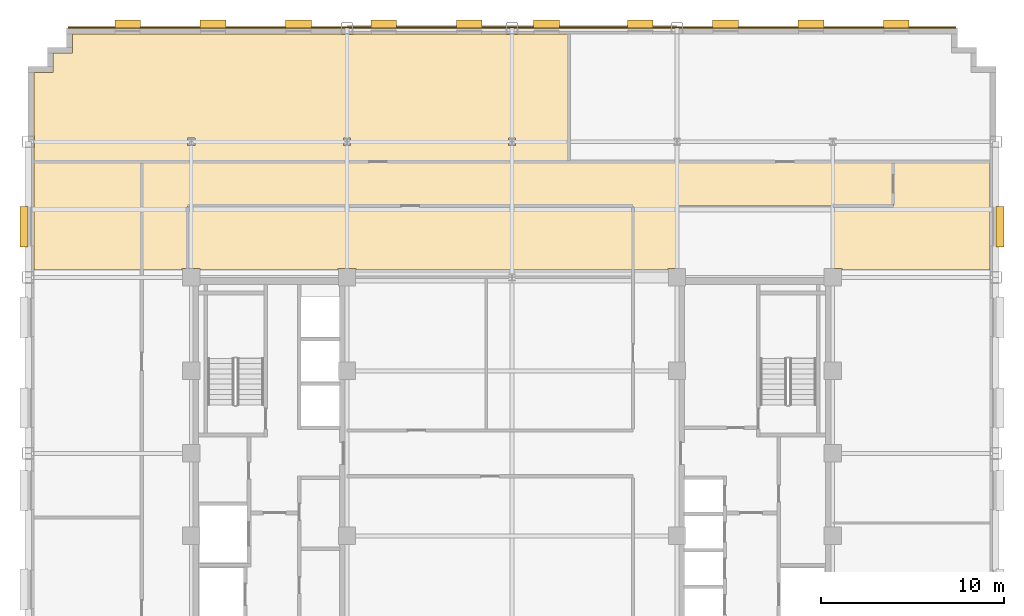
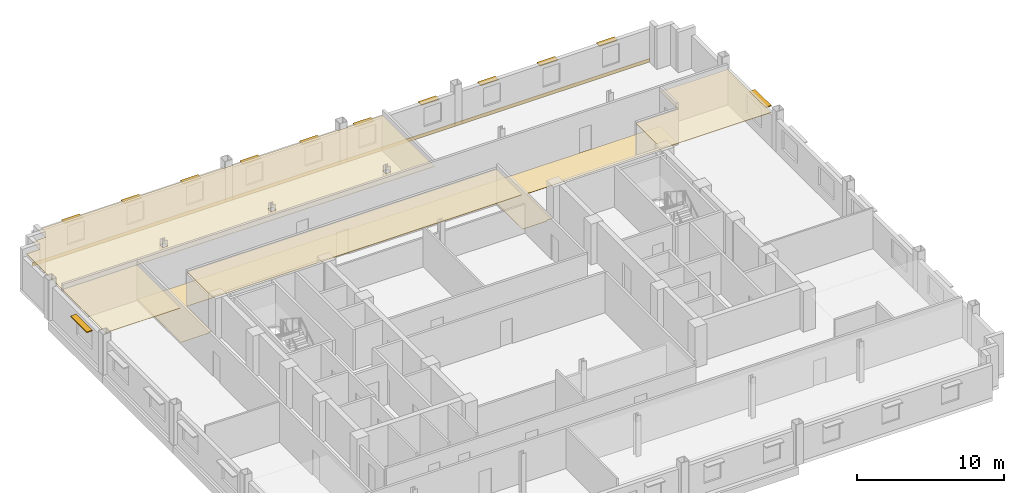
# One storey, part 14 of 14: 12 shading devices, 6 coverings.
"""IFC4 building model written with IfcOpenShell, lengths in metres."""

from ifc_helpers import new_model, si_unit, direction, frame, origin, origin_2d, place, context, subcontext, project, spatial, polyline, rectangle, outline, extrude, source, transform, mapped, material, layer, layer_set, type_object, type_shapes, element, save


model = new_model("IFC4")

# Units and contexts
model_context = context("Model", 3, precision=1e-05, world=origin(), true_north=direction((0.0, 1.0)))
body_context = subcontext(model_context, "Body", "Model", "MODEL_VIEW")
ifc_project = project(units=[si_unit("LENGTHUNIT", "METRE"), si_unit("AREAUNIT", "SQUARE_METRE"), si_unit("VOLUMEUNIT", "CUBIC_METRE"), si_unit("PLANEANGLEUNIT", "RADIAN"), si_unit("MASSUNIT", "GRAM", prefix="KILO")], contexts=[model_context])

# Site, building, storey
site_placement = place(None, origin())
site = spatial("IfcSite", under=ifc_project, at=site_placement, CompositionType="ELEMENT")
building_placement = place(site_placement, origin())
building = spatial("IfcBuilding", under=site, at=building_placement, Name="Nuvemarco Arch Tower", CompositionType="ELEMENT")
storey_placement = place(building_placement, frame((0.0, 0.0, 127.5)))
storey = spatial("IfcBuildingStorey", under=building, at=storey_placement, Name="L33", CompositionType="ELEMENT", Elevation=127.5)

# Coverings
ifc_material_1 = material(Name="Mineral acoustic ceiling tile")
ifc_layer_1 = layer(ifc_material_1, 0.0400390625, Name="COV-ACOUSTIC-CLG")
ifc_layer_set_1 = layer_set([ifc_layer_1], Name="Mineral acoustic ceiling tile")
covering_type_1 = type_object("IfcCoveringType", Name="COV-ACOUSTIC-CLG", PredefinedType="CEILING", material=ifc_layer_set_1)
covering_1_placement = place(storey_placement, frame((0.0, 0.0, 2.85009765625)))
element("IfcCovering", 1, at=covering_1_placement, inside=storey, type_object=covering_type_1, Name="L33 suspended acoustic ceiling 2", PredefinedType="CEILING", context=body_context, shape_type="SweptSolid", body=[
    extrude(outline(polyline([(-26.06005859375, 16.659912109375), (-26.06005859375, 17.340087890625), (-26.080078125, 17.340087890625), (-26.080078125, 20.780029296875), (-25.030029296875, 20.780029296875), (-25.030029296875, 21.830078125), (-23.97998046875, 21.830078125), (-23.97998046875, 22.8798828125), (-9.340087890625, 22.8798828125), (-9.340087890625, 22.860107421875), (-8.659912109375, 22.860107421875), (-8.659912109375, 22.8798828125), (-0.340087890625, 22.8798828125), (-0.340087890625, 22.860107421875), (0.340087890625, 22.860107421875), (0.340087890625, 22.8798828125), (3.10009765625, 22.8798828125), (3.10009765625, 15.89990234375), (-17.699951171875, 15.89990234375), (-20.199951171875, 15.89990234375), (-26.080078125, 15.89990234375), (-26.080078125, 16.659912109375), (-26.06005859375, 16.659912109375)]), holes=[polyline([(-17.304931640625, 16.804931640625), (-17.304931640625, 17.195068359375), (-17.695068359375, 17.195068359375), (-17.695068359375, 16.804931640625), (-17.304931640625, 16.804931640625)]), polyline([(-8.804931640625, 16.804931640625), (-8.804931640625, 17.195068359375), (-9.195068359375, 17.195068359375), (-9.195068359375, 16.804931640625), (-8.804931640625, 16.804931640625)]), polyline([(0.195068359375, 16.804931640625), (0.195068359375, 17.195068359375), (-0.195068359375, 17.195068359375), (-0.195068359375, 16.804931640625), (0.195068359375, 16.804931640625)])]), origin(), (0.0, 0.0, 1.0), 0.039794921875),
])
covering_2_placement = place(storey_placement, frame((0.0, 0.0, 2.85009765625)))
element("IfcCovering", 2, at=covering_2_placement, inside=storey, type_object=covering_type_1, Name="L33 suspended acoustic ceiling 3", PredefinedType="CEILING", context=body_context, shape_type="SweptSolid", body=[
    extrude(outline(polyline([(17.989990234375, 10.090087890625), (17.5, 10.090087890625), (17.5, 13.5), (20.800048828125, 13.5), (20.800048828125, 15.89990234375), (26.080078125, 15.89990234375), (26.080078125, 10.0), (17.989990234375, 10.0), (17.989990234375, 10.090087890625)])), origin(), (0.0, 0.0, 1.0), 0.039794921875),
])
covering_3_placement = place(storey_placement, frame((0.0, 0.0, 2.85009765625)))
element("IfcCovering", 3, at=covering_3_placement, inside=storey, type_object=covering_type_1, Name="L33 suspended acoustic ceiling 4", PredefinedType="CEILING", context=body_context, shape_type="SweptSolid", body=[
    extrude(outline(polyline([(-26.080078125, 15.89990234375), (-20.199951171875, 15.89990234375), (-20.199951171875, 13.5), (-20.199951171875, 10.0), (-26.080078125, 10.0), (-26.080078125, 15.89990234375)])), origin(), (0.0, 0.0, 1.0), 0.039794921875),
])
covering_4_placement = place(storey_placement, frame((0.0, 0.0, 2.85009765625)))
element("IfcCovering", 4, at=covering_4_placement, inside=storey, type_object=covering_type_1, Name="L33 suspended acoustic ceiling 6", PredefinedType="CEILING", context=body_context, shape_type="SweptSolid", body=[
    extrude(outline(polyline([(6.60009765625, 13.5), (6.60009765625, 10.0), (-8.510009765625, 10.0), (-8.510009765625, 10.090087890625), (-9.489990234375, 10.090087890625), (-9.489990234375, 10.0), (-17.010009765625, 10.0), (-17.010009765625, 10.090087890625), (-17.699951171875, 10.090087890625), (-17.699951171875, 13.5), (6.60009765625, 13.5)])), origin(), (0.0, 0.0, 1.0), 0.039794921875),
])
ifc_material_2 = material(Name="Polished granite terrazzostone flooring", Category="masonry")
ifc_layer_2 = layer(ifc_material_2, 0.02001953125, Name="COV-LOBBY-FLR")
ifc_layer_set_2 = layer_set([ifc_layer_2], Name="Polished granite terrazzostone flooring")
covering_type_2 = type_object("IfcCoveringType", Name="COV-LOBBY-FLR", PredefinedType="FLOORING", material=ifc_layer_set_2)
covering_5_placement = place(storey_placement, origin())
element("IfcCovering", 5, at=covering_5_placement, inside=storey, type_object=covering_type_2, Name="L33 polished terrazzo lobby flooring", PredefinedType="FLOORING", context=body_context, shape_type="SweptSolid", body=[
    extrude(outline(polyline([(-20.199951171875, 13.5), (-20.199951171875, 15.89990234375), (-17.699951171875, 15.89990234375), (6.60009765625, 15.89990234375), (9.0, 15.89990234375), (20.800048828125, 15.89990234375), (20.800048828125, 13.5), (9.0, 13.5), (9.0, 10.090087890625), (8.510009765625, 10.090087890625), (8.510009765625, 10.0), (6.60009765625, 10.0), (6.60009765625, 13.5), (-17.699951171875, 13.5), (-17.699951171875, 10.090087890625), (-17.989990234375, 10.090087890625), (-17.989990234375, 10.0), (-20.199951171875, 10.0), (-20.199951171875, 13.5)])), origin(), (0.0, 0.0, 1.0), 0.02001953125),
])

# Shading devices
ifc_material_3 = material(Name="Anodised aluminium 6063-T6", Category="aluminium")
shading_device_type_1 = type_object("IfcShadingDeviceType", Name="SHD-BRISE-SOLEIL", PredefinedType="USERDEFINED", material=ifc_material_3)
shared_shape_1 = source(origin(), body_context, "Body", "SweptSolid", [
    extrude(rectangle(XDim=2.199951171875, YDim=0.449951171875, at=origin_2d()), origin(), (0.0, 0.0, 1.0), 0.080078125),
])
type_shapes(shading_device_type_1, [shared_shape_1])
for number, where, z_axis, x_axis, name in (
    (6, (26.614990234375, 12.364990234375, 2.364990234375), (0.0, 0.0, 1.0), (0.0, 1.0, 0.0), "L33 horizontal brise-soleil sunshade"),
    (7, (-26.614990234375, 12.364990234375, 2.364990234375), (0.0, 0.0, 1.0), (0.0, 1.0, 0.0), "L33 horizontal brise-soleil sunshade"),
):
    element("IfcShadingDevice", number, at=place(storey_placement, frame(where, z_axis=z_axis, x_axis=x_axis)), inside=storey, type_object=shading_device_type_1, Name=name, ObjectType="SUNSHADE", PredefinedType="USERDEFINED", context=body_context, shape_type="MappedRepresentation", body=[
        mapped(shared_shape_1, transform((0.0, 0.0, 0.0), scale=1.0)),
    ])
shading_device_type_2 = type_object("IfcShadingDeviceType", Name="SHD-BRISE-NARROW", PredefinedType="USERDEFINED", material=ifc_material_3)
shared_shape_2 = source(origin(), body_context, "Body", "SweptSolid", [
    extrude(rectangle(XDim=1.39990234375, YDim=0.449951171875, at=origin_2d()), origin(), (0.0, 0.0, 1.0), 0.080078125),
])
type_shapes(shading_device_type_2, [shared_shape_2])
for number, where, z_axis, x_axis, name in (
    (8, (-20.969970703125, 23.4150390625, 2.364990234375), (0.0, 0.0, 1.0), (1.0, 0.0, 0.0), "L33 horizontal brise-soleil sunshade"),
    (9, (-16.31005859375, 23.4150390625, 2.364990234375), (0.0, 0.0, 1.0), (1.0, 0.0, 0.0), "L33 horizontal brise-soleil sunshade"),
    (10, (-11.64990234375, 23.4150390625, 2.364990234375), (0.0, 0.0, 1.0), (1.0, 0.0, 0.0), "L33 horizontal brise-soleil sunshade"),
    (11, (-6.989990234375, 23.4150390625, 2.364990234375), (0.0, 0.0, 1.0), (1.0, 0.0, 0.0), "L33 horizontal brise-soleil sunshade"),
    (12, (-2.330078125, 23.4150390625, 2.364990234375), (0.0, 0.0, 1.0), (1.0, 0.0, 0.0), "L33 horizontal brise-soleil sunshade"),
    (13, (1.8798828125, 23.4150390625, 2.364990234375), (0.0, 0.0, 1.0), (1.0, 0.0, 0.0), "L33 horizontal brise-soleil sunshade"),
    (14, (6.989990234375, 23.4150390625, 2.364990234375), (0.0, 0.0, 1.0), (1.0, 0.0, 0.0), "L33 horizontal brise-soleil sunshade"),
    (15, (11.64990234375, 23.4150390625, 2.364990234375), (0.0, 0.0, 1.0), (1.0, 0.0, 0.0), "L33 horizontal brise-soleil sunshade"),
    (16, (16.31005859375, 23.4150390625, 2.364990234375), (0.0, 0.0, 1.0), (1.0, 0.0, 0.0), "L33 horizontal brise-soleil sunshade"),
    (17, (20.969970703125, 23.4150390625, 2.364990234375), (0.0, 0.0, 1.0), (1.0, 0.0, 0.0), "L33 horizontal brise-soleil sunshade"),
):
    element("IfcShadingDevice", number, at=place(storey_placement, frame(where, z_axis=z_axis, x_axis=x_axis)), inside=storey, type_object=shading_device_type_2, Name=name, ObjectType="SUNSHADE", PredefinedType="USERDEFINED", context=body_context, shape_type="MappedRepresentation", body=[
        mapped(shared_shape_2, transform((0.0, 0.0, 0.0), scale=1.0)),
    ])

# Covering
ifc_material_4 = material(Name="Precast concrete C45/55", Category="concrete")
ifc_layer_3 = layer(ifc_material_4, 0.06005859375, Name="COV-SPANDREL-CLAD")
ifc_layer_set_3 = layer_set([ifc_layer_3], Name="Precast concrete C45/55")
covering_type_3 = type_object("IfcCoveringType", Name="COV-SPANDREL-CLAD", PredefinedType="CLADDING", material=ifc_layer_set_3)
shared_shape_3 = source(origin(), body_context, "Body", "SweptSolid", [
    extrude(rectangle(XDim=48.39990234375, YDim=0.06005859375, at=origin_2d()), origin(), (0.0, 0.0, 1.0), 0.280029296875),
])
type_shapes(covering_type_3, [shared_shape_3])
covering_6_placement = place(storey_placement, frame((0.0, 23.22900390625, -0.27978515625), z_axis=(0.0, 0.0, 1.0), x_axis=(1.0, 0.0, 0.0)))
element("IfcCovering", 18, at=covering_6_placement, inside=storey, type_object=covering_type_3, Name="L33 precast spandrel edge cladding north", PredefinedType="CLADDING", context=body_context, shape_type="MappedRepresentation", body=[
    mapped(shared_shape_3, transform((0.0, 0.0, 0.0), scale=1.0)),
])

save(model, "model.ifc")
